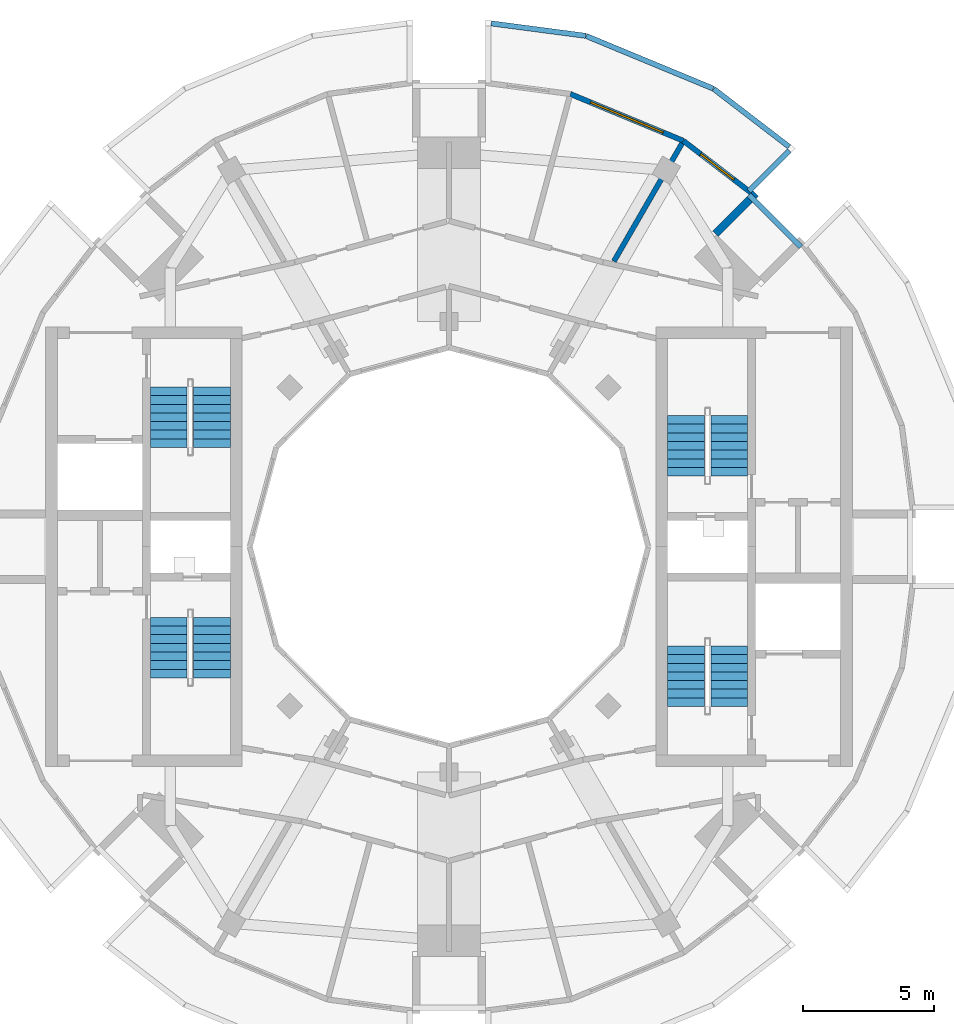
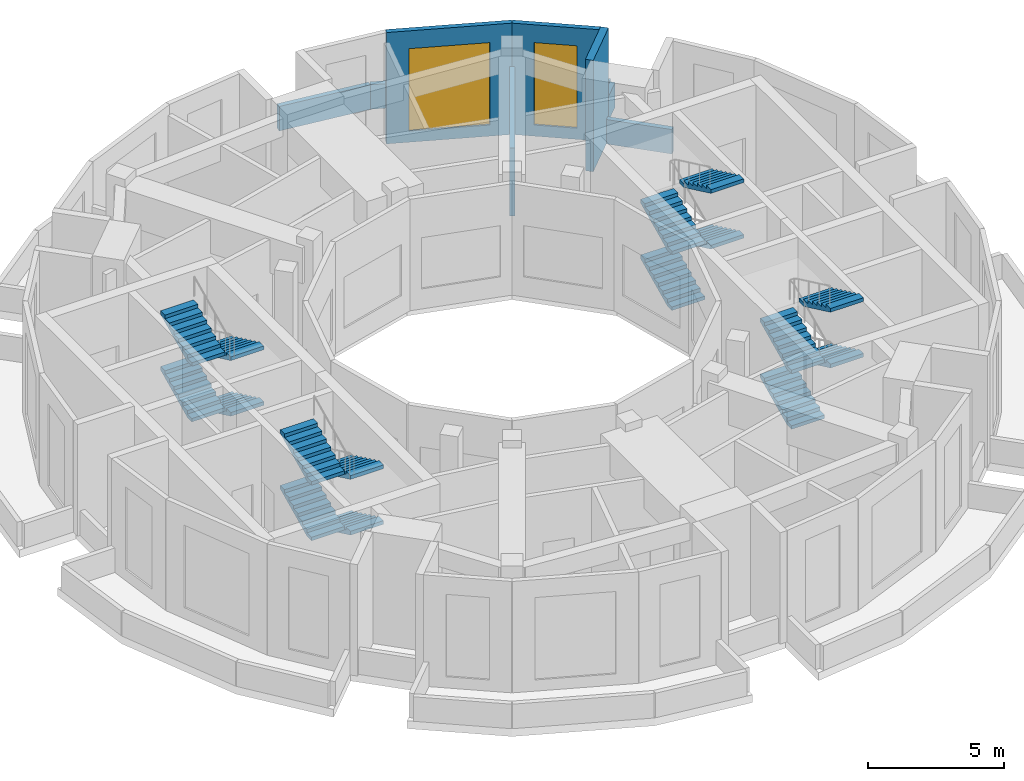
# One storey, part 7 of 8: 16 stair flights, 9 walls, 2 windows, 2 openings, 4 elements without a shape of their own.
"""IFC4 building model written with IfcOpenShell, lengths in metres."""

from ifc_helpers import new_model, si_unit, direction, frame, frame_2d, origin, place, context, subcontext, project, spatial, polyline, rectangle, outline, extrude, material, layer, layer_set, type_object, element, fill, aggregate, save


model = new_model("IFC4")

# Units and contexts
model_context = context("Model", 3, precision=1e-05, world=origin(), true_north=direction((0.0, 1.0)))
body_context = subcontext(model_context, "Body", "Model", "MODEL_VIEW")
ifc_project = project(units=[si_unit("LENGTHUNIT", "METRE"), si_unit("AREAUNIT", "SQUARE_METRE"), si_unit("VOLUMEUNIT", "CUBIC_METRE"), si_unit("PLANEANGLEUNIT", "RADIAN"), si_unit("MASSUNIT", "GRAM", prefix="KILO")], contexts=[model_context])

# Site, building, storey
site_placement = place(None, origin())
site = spatial("IfcSite", under=ifc_project, at=site_placement, CompositionType="ELEMENT")
building_placement = place(site_placement, origin())
building = spatial("IfcBuilding", under=site, at=building_placement, Name="Torre Brocal", CompositionType="ELEMENT")
storey_placement = place(building_placement, frame((0.0, 0.0, 328.10009765625)))
storey = spatial("IfcBuildingStorey", under=building, at=storey_placement, Name="L75", CompositionType="ELEMENT", Elevation=328.10009765625)

# Wall, opening, window
ifc_material_1 = material(Name="Concrete C40", Category="concrete")
ifc_layer_1 = layer(ifc_material_1, 0.199951171875)
ifc_layer_set_1 = layer_set([ifc_layer_1], Name="Concrete C40")
wall_type_1 = type_object("IfcWallType", Name="LOUVRED PLANT WALL 200", PredefinedType="NOTDEFINED", material=ifc_layer_set_1)
wall_1_placement = place(storey_placement, frame((91.536376953125, 88.51611328125, 0.0), z_axis=(0.0, 0.0, 1.0), x_axis=(-0.793338759003, 0.608780431243, 0.0)))
wall_1 = element("IfcWall", 1, at=wall_1_placement, inside=storey, type_object=wall_type_1, Name="LOUVRED PLANT WALL", PredefinedType="NOTDEFINED", context=body_context, shape_type="SweptSolid", body=[
    extrude(rectangle(XDim=3.2607421875, YDim=0.199951171875, at=frame_2d((1.63037109375, 0.0))), origin(), (0.0, 0.0, 1.0), 5.0),
])
opening_1_placement = place(wall_1_placement, frame((0.830322265625, 0.0, 0.5)))
opening_1 = element("IfcOpeningElement", 2, at=opening_1_placement, cuts=wall_1, Name="Opening LV-1600-3700", PredefinedType="OPENING", context=body_context, shape_type="SweptSolid", body=[
    extrude(rectangle(XDim=1.60009765625, YDim=3.699951171875, at=frame_2d((0.800048828125, 1.85009765625))), frame((0.0, 0.10986328125, 0.0), z_axis=(0.0, -1.0, 0.0), x_axis=(1.0, 0.0, 0.0)), (0.0, 0.0, 1.0), 0.219970703125),
])
ifc_material_2 = material(Name="Aluminium louvre", Category="aluminium")
window_type_1 = type_object("IfcWindowType", Name="LOUVRE PANEL 1600X3700", PartitioningType="SINGLE_PANEL", PredefinedType="USERDEFINED", material=ifc_material_2)
window_1_placement = place(opening_1_placement, origin())
window_1 = element("IfcWindow", 3, at=window_1_placement, inside=storey, type_object=window_type_1, Name="LOUVRE PANEL 1600X3700", ObjectType="LOUVRE", OverallHeight=3.699951171875, OverallWidth=1.60009765625, PartitioningType="SINGLE_PANEL", PredefinedType="USERDEFINED", context=body_context, shape_type="SweptSolid", body=[
    extrude(rectangle(XDim=1.60009765625, YDim=3.699951171875, at=frame_2d((0.800048828125, 1.85009765625))), frame((0.0, 0.030029296875, 0.0), z_axis=(0.0, -1.0, 0.0), x_axis=(1.0, 0.0, 0.0)), (0.0, 0.0, 1.0), 0.06005859375),
])
fill(opening_1, window_1)

wall_2_placement = place(storey_placement, frame((88.949462890625, 90.501220703125, 0.0), z_axis=(0.0, 0.0, 1.0), x_axis=(-0.923881827038, 0.382677892842, 0.0)))
wall_2 = element("IfcWall", 4, at=wall_2_placement, inside=storey, type_object=wall_type_1, Name="LOUVRED PLANT WALL", PredefinedType="NOTDEFINED", context=body_context, shape_type="SweptSolid", body=[
    extrude(rectangle(XDim=4.672607421875, YDim=0.199951171875, at=frame_2d((2.33642578125, 0.0))), origin(), (0.0, 0.0, 1.0), 5.0),
])
opening_2_placement = place(wall_2_placement, frame((0.83642578125, 0.0, 0.5)))
opening_2 = element("IfcOpeningElement", 5, at=opening_2_placement, cuts=wall_2, Name="Opening LV-3000-3700", PredefinedType="OPENING", context=body_context, shape_type="SweptSolid", body=[
    extrude(rectangle(XDim=3.0, YDim=3.699951171875, at=frame_2d((1.5, 1.85009765625))), frame((0.0, 0.10986328125, 0.0), z_axis=(0.0, -1.0, 0.0), x_axis=(1.0, 0.0, 0.0)), (0.0, 0.0, 1.0), 0.219970703125),
])
ifc_material_3 = material(Name="Aluminium louvre", Category="aluminium")
window_type_2 = type_object("IfcWindowType", Name="LOUVRE PANEL 3000X3700", PartitioningType="SINGLE_PANEL", PredefinedType="USERDEFINED", material=ifc_material_3)
window_2_placement = place(opening_2_placement, origin())
window_2 = element("IfcWindow", 6, at=window_2_placement, inside=storey, type_object=window_type_2, Name="LOUVRE PANEL 3000X3700", ObjectType="LOUVRE", OverallHeight=3.699951171875, OverallWidth=3.0, PartitioningType="SINGLE_PANEL", PredefinedType="USERDEFINED", context=body_context, shape_type="SweptSolid", body=[
    extrude(rectangle(XDim=3.0, YDim=3.699951171875, at=frame_2d((1.5, 1.85009765625))), frame((0.0, 0.030029296875, 0.0), z_axis=(0.0, -1.0, 0.0), x_axis=(1.0, 0.0, 0.0)), (0.0, 0.0, 1.0), 0.06005859375),
])
fill(opening_2, window_2)

# Walls
ifc_material_4 = material(Name="Concrete C50", Category="concrete")
ifc_layer_2 = layer(ifc_material_4, 0.300048828125)
ifc_layer_set_2 = layer_set([ifc_layer_2], Name="Concrete C50")
wall_type_2 = type_object("IfcWallType", Name="NOTCH RETURN WALL 300 C50", PredefinedType="NOTDEFINED", material=ifc_layer_set_2)
wall_3_placement = place(storey_placement, frame((90.182373046875, 86.9501953125, 0.0), z_axis=(0.0, 0.0, 1.0), x_axis=(0.707106781187, 0.707106781187, 0.0)))
element("IfcWall", 7, at=wall_3_placement, inside=storey, type_object=wall_type_2, Name="NOTCH RETURN WALL", PredefinedType="NOTDEFINED", context=body_context, shape_type="SweptSolid", body=[
    extrude(rectangle(XDim=2.16552734375, YDim=0.300048828125, at=frame_2d((1.082763671875, 0.0))), origin(), (0.0, 0.0, 1.0), 5.0),
])
ifc_material_5 = material(Name="Concrete C40", Category="concrete")
ifc_layer_3 = layer(ifc_material_5, 0.199951171875)
ifc_layer_set_3 = layer_set([ifc_layer_3], Name="Concrete C40")
wall_type_3 = type_object("IfcWallType", Name="PARAPET WALL 200 THICK 1100 HIGH 4", PredefinedType="PARAPET", material=ifc_layer_set_3)
wall_4_placement = place(storey_placement, frame((81.613037109375, 94.985107421875, 0.0), z_axis=(0.0, 0.0, 1.0), x_axis=(0.991444913491, -0.130525796353, 0.0)))
element("IfcWall", 8, at=wall_4_placement, inside=storey, type_object=wall_type_3, Name="PARAPET WALL 42", PredefinedType="PARAPET", context=body_context, shape_type="SweptSolid", body=[
    extrude(rectangle(XDim=3.63232421875, YDim=0.199951171875, at=frame_2d((1.816162109375, 0.0))), origin(), (0.0, 0.0, 1.0), 1.099853515625),
])
wall_5_placement = place(storey_placement, frame((85.23974609375, 94.504150390625, 0.0), z_axis=(0.0, 0.0, 1.0), x_axis=(0.92387900007, -0.38268471779, 0.0)))
element("IfcWall", 9, at=wall_5_placement, inside=storey, type_object=wall_type_3, Name="PARAPET WALL 43", PredefinedType="PARAPET", context=body_context, shape_type="SweptSolid", body=[
    extrude(rectangle(XDim=5.24609375, YDim=0.199951171875, at=frame_2d((2.623046875, 0.0))), origin(), (0.0, 0.0, 1.0), 1.099853515625),
])
wall_6_placement = place(storey_placement, frame((90.109130859375, 92.4833984375, 0.0), z_axis=(0.0, 0.0, 1.0), x_axis=(0.793370471742, -0.608739102217, 0.0)))
element("IfcWall", 10, at=wall_6_placement, inside=storey, type_object=wall_type_3, Name="PARAPET WALL 44", PredefinedType="PARAPET", context=body_context, shape_type="SweptSolid", body=[
    extrude(rectangle(XDim=3.63232421875, YDim=0.199951171875, at=frame_2d((1.816162109375, 0.0))), origin(), (0.0, 0.0, 1.0), 1.099853515625),
])
wall_7_placement = place(storey_placement, frame((93.000732421875, 90.1220703125, 0.0), z_axis=(0.0, 0.0, 1.0), x_axis=(-0.707106781187, -0.707106781187, 0.0)))
element("IfcWall", 11, at=wall_7_placement, inside=storey, type_object=wall_type_3, Name="PARAPET WALL 45", PredefinedType="PARAPET", context=body_context, shape_type="SweptSolid", body=[
    extrude(rectangle(XDim=2.185791015625, YDim=0.199951171875, at=frame_2d((1.0927734375, 0.0))), origin(), (0.0, 0.0, 1.0), 1.099853515625),
])
wall_8_placement = place(storey_placement, frame((91.455078125, 88.43505859375, 0.0), z_axis=(0.0, 0.0, 1.0), x_axis=(0.707106781187, -0.707106781187, 0.0)))
element("IfcWall", 12, at=wall_8_placement, inside=storey, type_object=wall_type_3, Name="PARAPET WALL 46", PredefinedType="PARAPET", context=body_context, shape_type="SweptSolid", body=[
    extrude(rectangle(XDim=2.800048828125, YDim=0.199951171875, at=frame_2d((1.39990234375, 0.0))), origin(), (0.0, 0.0, 1.0), 1.099853515625),
])
ifc_material_6 = material(Name="Masonry block", Category="masonry")
ifc_layer_4 = layer(ifc_material_6, 0.199951171875)
ifc_layer_set_4 = layer_set([ifc_layer_4], Name="Masonry block")
wall_type_4 = type_object("IfcWallType", Name="PARTITION 200 EI120 UNDER BEAM 1950", PredefinedType="PARTITIONING", material=ifc_layer_set_4)
wall_9_placement = place(storey_placement, frame((86.298095703125, 85.900634765625, 0.0), z_axis=(0.0, 0.0, 1.0), x_axis=(0.500243229232, 0.865884929773, 0.0)))
element("IfcWall", 13, at=wall_9_placement, inside=storey, type_object=wall_type_4, Name="PLANT ROOM WALL", PredefinedType="PARTITIONING", context=body_context, shape_type="SweptSolid", body=[
    extrude(rectangle(XDim=5.20751953125, YDim=0.199951171875, at=frame_2d((2.603759765625, 0.0))), origin(), (0.0, 0.0, 1.0), 3.0498046875),
])

# Stair, stair flights
ifc_material_7 = material(Name="Concrete C50", Category="concrete")
stair_type = type_object("IfcStairType", Name="EXIT STAIR", PredefinedType="HALF_TURN_STAIR", material=ifc_material_7)
stair_1_placement = place(storey_placement, origin())
stair_1 = element("IfcStair", 14, at=stair_1_placement, inside=storey, type_object=stair_type, Name="EXIT STAIR ST1", PredefinedType="HALF_TURN_STAIR")
ifc_material_8 = material(Name="Concrete C50", Category="concrete")
ifc_layer_5 = layer(ifc_material_8, 0.14990234375)
ifc_layer_set_5 = layer_set([ifc_layer_5], Name="Concrete C50")
stair_flight_type = type_object("IfcStairFlightType", Name="STAIR FLIGHT", PredefinedType="STRAIGHT", material=ifc_layer_set_5)
stair_flight_1_placement = place(storey_placement, frame((89.050048828125, 77.699951171875, 0.0), z_axis=(0.0, 0.0, 1.0), x_axis=(0.0, 1.0, 0.0)))
stair_flight_1 = element("IfcStairFlight", 15, at=stair_flight_1_placement, type_object=stair_flight_type, Name="ST1 flight 1", NumberOfRisers=8, NumberOfTreads=7, PredefinedType="STRAIGHT", RiserHeight=0.15625, TreadLength=0.33, context=body_context, shape_type="SweptSolid", body=[
    extrude(outline(polyline([(0.0, 0.0), (0.0, 0.15625), (0.330078125, 0.15625), (0.330078125, 0.3125), (0.659912109375, 0.3125), (0.659912109375, 0.46875), (0.989990234375, 0.46875), (0.989990234375, 0.625), (1.320068359375, 0.625), (1.320068359375, 0.78125), (1.64990234375, 0.78125), (1.64990234375, 0.9375), (1.97998046875, 0.9375), (1.97998046875, 1.09375), (2.31005859375, 1.09375), (2.31005859375, 1.25), (2.31005859375, 0.927978515625), (0.350341796875, 0.0), (0.0, 0.0)])), frame((0.0, 0.699951171875, 0.0), z_axis=(0.0, -1.0, 0.0), x_axis=(1.0, 0.0, 0.0)), (0.0, 0.0, 1.0), 1.39990234375),
])
stair_flight_2_placement = place(storey_placement, frame((90.699951171875, 80.010009765625, 1.25), z_axis=(0.0, 0.0, 1.0), x_axis=(0.0, -1.0, 0.0)))
stair_flight_2 = element("IfcStairFlight", 16, at=stair_flight_2_placement, type_object=stair_flight_type, Name="ST1 flight 2", NumberOfRisers=8, NumberOfTreads=7, PredefinedType="STRAIGHT", RiserHeight=0.15625, TreadLength=0.33, context=body_context, shape_type="SweptSolid", body=[
    extrude(outline(polyline([(0.0, 0.0), (0.0, 0.15625), (0.330078125, 0.15625), (0.330078125, 0.3125), (0.659912109375, 0.3125), (0.659912109375, 0.46875), (0.989990234375, 0.46875), (0.989990234375, 0.625), (1.320068359375, 0.625), (1.320068359375, 0.78125), (1.64990234375, 0.78125), (1.64990234375, 0.9375), (1.97998046875, 0.9375), (1.97998046875, 1.09375), (2.31005859375, 1.09375), (2.31005859375, 1.25), (2.31005859375, 0.927978515625), (0.350341796875, 0.0), (0.0, 0.0)])), frame((0.0, 0.699951171875, 0.0), z_axis=(0.0, -1.0, 0.0), x_axis=(1.0, 0.0, 0.0)), (0.0, 0.0, 1.0), 1.39990234375),
])
stair_flight_3_placement = place(storey_placement, frame((89.050048828125, 77.699951171875, 2.5), z_axis=(0.0, 0.0, 1.0), x_axis=(0.0, 1.0, 0.0)))
stair_flight_3 = element("IfcStairFlight", 17, at=stair_flight_3_placement, type_object=stair_flight_type, Name="ST1 flight 3", NumberOfRisers=8, NumberOfTreads=7, PredefinedType="STRAIGHT", RiserHeight=0.15625, TreadLength=0.33, context=body_context, shape_type="SweptSolid", body=[
    extrude(outline(polyline([(0.0, 0.0), (0.0, 0.15625), (0.330078125, 0.15625), (0.330078125, 0.3125), (0.659912109375, 0.3125), (0.659912109375, 0.46875), (0.989990234375, 0.46875), (0.989990234375, 0.625), (1.320068359375, 0.625), (1.320068359375, 0.78125), (1.64990234375, 0.78125), (1.64990234375, 0.9375), (1.97998046875, 0.9375), (1.97998046875, 1.09375), (2.31005859375, 1.09375), (2.31005859375, 1.25), (2.31005859375, 0.927978515625), (0.350341796875, 0.0), (0.0, 0.0)])), frame((0.0, 0.699951171875, 0.0), z_axis=(0.0, -1.0, 0.0), x_axis=(1.0, 0.0, 0.0)), (0.0, 0.0, 1.0), 1.39990234375),
])
stair_flight_4_placement = place(storey_placement, frame((90.699951171875, 80.010009765625, 3.75), z_axis=(0.0, 0.0, 1.0), x_axis=(0.0, -1.0, 0.0)))
stair_flight_4 = element("IfcStairFlight", 18, at=stair_flight_4_placement, type_object=stair_flight_type, Name="ST1 flight 4", NumberOfRisers=8, NumberOfTreads=7, PredefinedType="STRAIGHT", RiserHeight=0.15625, TreadLength=0.33, context=body_context, shape_type="SweptSolid", body=[
    extrude(outline(polyline([(0.0, 0.0), (0.0, 0.15625), (0.330078125, 0.15625), (0.330078125, 0.3125), (0.659912109375, 0.3125), (0.659912109375, 0.46875), (0.989990234375, 0.46875), (0.989990234375, 0.625), (1.320068359375, 0.625), (1.320068359375, 0.78125), (1.64990234375, 0.78125), (1.64990234375, 0.9375), (1.97998046875, 0.9375), (1.97998046875, 1.09375), (2.31005859375, 1.09375), (2.31005859375, 1.25), (2.31005859375, 0.927978515625), (0.350341796875, 0.0), (0.0, 0.0)])), frame((0.0, 0.699951171875, 0.0), z_axis=(0.0, -1.0, 0.0), x_axis=(1.0, 0.0, 0.0)), (0.0, 0.0, 1.0), 1.39990234375),
])
aggregate(stair_1, [stair_flight_1, stair_flight_2, stair_flight_3, stair_flight_4])

stair_2_placement = place(storey_placement, origin())
stair_2 = element("IfcStair", 19, at=stair_2_placement, inside=storey, type_object=stair_type, Name="EXIT STAIR ST2", PredefinedType="HALF_TURN_STAIR")
stair_flight_5_placement = place(storey_placement, frame((89.050048828125, 68.89990234375, 0.0), z_axis=(0.0, 0.0, 1.0), x_axis=(0.0, 1.0, 0.0)))
stair_flight_5 = element("IfcStairFlight", 20, at=stair_flight_5_placement, type_object=stair_flight_type, Name="ST2 flight 1", NumberOfRisers=8, NumberOfTreads=7, PredefinedType="STRAIGHT", RiserHeight=0.15625, TreadLength=0.33, context=body_context, shape_type="SweptSolid", body=[
    extrude(outline(polyline([(0.0, 0.0), (0.0, 0.15625), (0.330078125, 0.15625), (0.330078125, 0.3125), (0.659912109375, 0.3125), (0.659912109375, 0.46875), (0.989990234375, 0.46875), (0.989990234375, 0.625), (1.320068359375, 0.625), (1.320068359375, 0.78125), (1.64990234375, 0.78125), (1.64990234375, 0.9375), (1.97998046875, 0.9375), (1.97998046875, 1.09375), (2.31005859375, 1.09375), (2.31005859375, 1.25), (2.31005859375, 0.927978515625), (0.350341796875, 0.0), (0.0, 0.0)])), frame((0.0, 0.699951171875, 0.0), z_axis=(0.0, -1.0, 0.0), x_axis=(1.0, 0.0, 0.0)), (0.0, 0.0, 1.0), 1.39990234375),
])
stair_flight_6_placement = place(storey_placement, frame((90.699951171875, 71.2099609375, 1.25), z_axis=(0.0, 0.0, 1.0), x_axis=(0.0, -1.0, 0.0)))
stair_flight_6 = element("IfcStairFlight", 21, at=stair_flight_6_placement, type_object=stair_flight_type, Name="ST2 flight 2", NumberOfRisers=8, NumberOfTreads=7, PredefinedType="STRAIGHT", RiserHeight=0.15625, TreadLength=0.33, context=body_context, shape_type="SweptSolid", body=[
    extrude(outline(polyline([(0.0, 0.0), (0.0, 0.15625), (0.330078125, 0.15625), (0.330078125, 0.3125), (0.659912109375, 0.3125), (0.659912109375, 0.46875), (0.989990234375, 0.46875), (0.989990234375, 0.625), (1.320068359375, 0.625), (1.320068359375, 0.78125), (1.64990234375, 0.78125), (1.64990234375, 0.9375), (1.97998046875, 0.9375), (1.97998046875, 1.09375), (2.31005859375, 1.09375), (2.31005859375, 1.25), (2.31005859375, 0.927978515625), (0.350341796875, 0.0), (0.0, 0.0)])), frame((0.0, 0.699951171875, 0.0), z_axis=(0.0, -1.0, 0.0), x_axis=(1.0, 0.0, 0.0)), (0.0, 0.0, 1.0), 1.39990234375),
])
stair_flight_7_placement = place(storey_placement, frame((89.050048828125, 68.89990234375, 2.5), z_axis=(0.0, 0.0, 1.0), x_axis=(0.0, 1.0, 0.0)))
stair_flight_7 = element("IfcStairFlight", 22, at=stair_flight_7_placement, type_object=stair_flight_type, Name="ST2 flight 3", NumberOfRisers=8, NumberOfTreads=7, PredefinedType="STRAIGHT", RiserHeight=0.15625, TreadLength=0.33, context=body_context, shape_type="SweptSolid", body=[
    extrude(outline(polyline([(0.0, 0.0), (0.0, 0.15625), (0.330078125, 0.15625), (0.330078125, 0.3125), (0.659912109375, 0.3125), (0.659912109375, 0.46875), (0.989990234375, 0.46875), (0.989990234375, 0.625), (1.320068359375, 0.625), (1.320068359375, 0.78125), (1.64990234375, 0.78125), (1.64990234375, 0.9375), (1.97998046875, 0.9375), (1.97998046875, 1.09375), (2.31005859375, 1.09375), (2.31005859375, 1.25), (2.31005859375, 0.927978515625), (0.350341796875, 0.0), (0.0, 0.0)])), frame((0.0, 0.699951171875, 0.0), z_axis=(0.0, -1.0, 0.0), x_axis=(1.0, 0.0, 0.0)), (0.0, 0.0, 1.0), 1.39990234375),
])
stair_flight_8_placement = place(storey_placement, frame((90.699951171875, 71.2099609375, 3.75), z_axis=(0.0, 0.0, 1.0), x_axis=(0.0, -1.0, 0.0)))
stair_flight_8 = element("IfcStairFlight", 23, at=stair_flight_8_placement, type_object=stair_flight_type, Name="ST2 flight 4", NumberOfRisers=8, NumberOfTreads=7, PredefinedType="STRAIGHT", RiserHeight=0.15625, TreadLength=0.33, context=body_context, shape_type="SweptSolid", body=[
    extrude(outline(polyline([(0.0, 0.0), (0.0, 0.15625), (0.330078125, 0.15625), (0.330078125, 0.3125), (0.659912109375, 0.3125), (0.659912109375, 0.46875), (0.989990234375, 0.46875), (0.989990234375, 0.625), (1.320068359375, 0.625), (1.320068359375, 0.78125), (1.64990234375, 0.78125), (1.64990234375, 0.9375), (1.97998046875, 0.9375), (1.97998046875, 1.09375), (2.31005859375, 1.09375), (2.31005859375, 1.25), (2.31005859375, 0.927978515625), (0.350341796875, 0.0), (0.0, 0.0)])), frame((0.0, 0.699951171875, 0.0), z_axis=(0.0, -1.0, 0.0), x_axis=(1.0, 0.0, 0.0)), (0.0, 0.0, 1.0), 1.39990234375),
])
aggregate(stair_2, [stair_flight_5, stair_flight_6, stair_flight_7, stair_flight_8])

stair_3_placement = place(storey_placement, origin())
stair_3 = element("IfcStair", 24, at=stair_3_placement, inside=storey, type_object=stair_type, Name="EXIT STAIR ST3", PredefinedType="HALF_TURN_STAIR")
stair_flight_9_placement = place(storey_placement, frame((70.949951171875, 72.300048828125, 0.0), z_axis=(0.0, 0.0, 1.0), x_axis=(0.0, -1.0, 0.0)))
stair_flight_9 = element("IfcStairFlight", 25, at=stair_flight_9_placement, type_object=stair_flight_type, Name="ST3 flight 1", NumberOfRisers=8, NumberOfTreads=7, PredefinedType="STRAIGHT", RiserHeight=0.15625, TreadLength=0.33, context=body_context, shape_type="SweptSolid", body=[
    extrude(outline(polyline([(0.0, 0.0), (0.0, 0.15625), (0.330078125, 0.15625), (0.330078125, 0.3125), (0.659912109375, 0.3125), (0.659912109375, 0.46875), (0.989990234375, 0.46875), (0.989990234375, 0.625), (1.320068359375, 0.625), (1.320068359375, 0.78125), (1.64990234375, 0.78125), (1.64990234375, 0.9375), (1.97998046875, 0.9375), (1.97998046875, 1.09375), (2.31005859375, 1.09375), (2.31005859375, 1.25), (2.31005859375, 0.927978515625), (0.350341796875, 0.0), (0.0, 0.0)])), frame((0.0, 0.699951171875, 0.0), z_axis=(0.0, -1.0, 0.0), x_axis=(1.0, 0.0, 0.0)), (0.0, 0.0, 1.0), 1.39990234375),
])
stair_flight_10_placement = place(storey_placement, frame((69.300048828125, 69.989990234375, 1.25), z_axis=(0.0, 0.0, 1.0), x_axis=(0.0, 1.0, 0.0)))
stair_flight_10 = element("IfcStairFlight", 26, at=stair_flight_10_placement, type_object=stair_flight_type, Name="ST3 flight 2", NumberOfRisers=8, NumberOfTreads=7, PredefinedType="STRAIGHT", RiserHeight=0.15625, TreadLength=0.33, context=body_context, shape_type="SweptSolid", body=[
    extrude(outline(polyline([(0.0, 0.0), (0.0, 0.15625), (0.330078125, 0.15625), (0.330078125, 0.3125), (0.659912109375, 0.3125), (0.659912109375, 0.46875), (0.989990234375, 0.46875), (0.989990234375, 0.625), (1.320068359375, 0.625), (1.320068359375, 0.78125), (1.64990234375, 0.78125), (1.64990234375, 0.9375), (1.97998046875, 0.9375), (1.97998046875, 1.09375), (2.31005859375, 1.09375), (2.31005859375, 1.25), (2.31005859375, 0.927978515625), (0.350341796875, 0.0), (0.0, 0.0)])), frame((0.0, 0.699951171875, 0.0), z_axis=(0.0, -1.0, 0.0), x_axis=(1.0, 0.0, 0.0)), (0.0, 0.0, 1.0), 1.39990234375),
])
stair_flight_11_placement = place(storey_placement, frame((70.949951171875, 72.300048828125, 2.5), z_axis=(0.0, 0.0, 1.0), x_axis=(0.0, -1.0, 0.0)))
stair_flight_11 = element("IfcStairFlight", 27, at=stair_flight_11_placement, type_object=stair_flight_type, Name="ST3 flight 3", NumberOfRisers=8, NumberOfTreads=7, PredefinedType="STRAIGHT", RiserHeight=0.15625, TreadLength=0.33, context=body_context, shape_type="SweptSolid", body=[
    extrude(outline(polyline([(0.0, 0.0), (0.0, 0.15625), (0.330078125, 0.15625), (0.330078125, 0.3125), (0.659912109375, 0.3125), (0.659912109375, 0.46875), (0.989990234375, 0.46875), (0.989990234375, 0.625), (1.320068359375, 0.625), (1.320068359375, 0.78125), (1.64990234375, 0.78125), (1.64990234375, 0.9375), (1.97998046875, 0.9375), (1.97998046875, 1.09375), (2.31005859375, 1.09375), (2.31005859375, 1.25), (2.31005859375, 0.927978515625), (0.350341796875, 0.0), (0.0, 0.0)])), frame((0.0, 0.699951171875, 0.0), z_axis=(0.0, -1.0, 0.0), x_axis=(1.0, 0.0, 0.0)), (0.0, 0.0, 1.0), 1.39990234375),
])
stair_flight_12_placement = place(storey_placement, frame((69.300048828125, 69.989990234375, 3.75), z_axis=(0.0, 0.0, 1.0), x_axis=(0.0, 1.0, 0.0)))
stair_flight_12 = element("IfcStairFlight", 28, at=stair_flight_12_placement, type_object=stair_flight_type, Name="ST3 flight 4", NumberOfRisers=8, NumberOfTreads=7, PredefinedType="STRAIGHT", RiserHeight=0.15625, TreadLength=0.33, context=body_context, shape_type="SweptSolid", body=[
    extrude(outline(polyline([(0.0, 0.0), (0.0, 0.15625), (0.330078125, 0.15625), (0.330078125, 0.3125), (0.659912109375, 0.3125), (0.659912109375, 0.46875), (0.989990234375, 0.46875), (0.989990234375, 0.625), (1.320068359375, 0.625), (1.320068359375, 0.78125), (1.64990234375, 0.78125), (1.64990234375, 0.9375), (1.97998046875, 0.9375), (1.97998046875, 1.09375), (2.31005859375, 1.09375), (2.31005859375, 1.25), (2.31005859375, 0.927978515625), (0.350341796875, 0.0), (0.0, 0.0)])), frame((0.0, 0.699951171875, 0.0), z_axis=(0.0, -1.0, 0.0), x_axis=(1.0, 0.0, 0.0)), (0.0, 0.0, 1.0), 1.39990234375),
])
aggregate(stair_3, [stair_flight_9, stair_flight_10, stair_flight_11, stair_flight_12])

stair_4_placement = place(storey_placement, origin())
stair_4 = element("IfcStair", 29, at=stair_4_placement, inside=storey, type_object=stair_type, Name="EXIT STAIR ST4", PredefinedType="HALF_TURN_STAIR")
stair_flight_13_placement = place(storey_placement, frame((70.949951171875, 81.10009765625, 0.0), z_axis=(0.0, 0.0, 1.0), x_axis=(0.0, -1.0, 0.0)))
stair_flight_13 = element("IfcStairFlight", 30, at=stair_flight_13_placement, type_object=stair_flight_type, Name="ST4 flight 1", NumberOfRisers=8, NumberOfTreads=7, PredefinedType="STRAIGHT", RiserHeight=0.15625, TreadLength=0.33, context=body_context, shape_type="SweptSolid", body=[
    extrude(outline(polyline([(0.0, 0.0), (0.0, 0.15625), (0.330078125, 0.15625), (0.330078125, 0.3125), (0.659912109375, 0.3125), (0.659912109375, 0.46875), (0.989990234375, 0.46875), (0.989990234375, 0.625), (1.320068359375, 0.625), (1.320068359375, 0.78125), (1.64990234375, 0.78125), (1.64990234375, 0.9375), (1.97998046875, 0.9375), (1.97998046875, 1.09375), (2.31005859375, 1.09375), (2.31005859375, 1.25), (2.31005859375, 0.927978515625), (0.350341796875, 0.0), (0.0, 0.0)])), frame((0.0, 0.699951171875, 0.0), z_axis=(0.0, -1.0, 0.0), x_axis=(1.0, 0.0, 0.0)), (0.0, 0.0, 1.0), 1.39990234375),
])
stair_flight_14_placement = place(storey_placement, frame((69.300048828125, 78.7900390625, 1.25), z_axis=(0.0, 0.0, 1.0), x_axis=(0.0, 1.0, 0.0)))
stair_flight_14 = element("IfcStairFlight", 31, at=stair_flight_14_placement, type_object=stair_flight_type, Name="ST4 flight 2", NumberOfRisers=8, NumberOfTreads=7, PredefinedType="STRAIGHT", RiserHeight=0.15625, TreadLength=0.33, context=body_context, shape_type="SweptSolid", body=[
    extrude(outline(polyline([(0.0, 0.0), (0.0, 0.15625), (0.330078125, 0.15625), (0.330078125, 0.3125), (0.659912109375, 0.3125), (0.659912109375, 0.46875), (0.989990234375, 0.46875), (0.989990234375, 0.625), (1.320068359375, 0.625), (1.320068359375, 0.78125), (1.64990234375, 0.78125), (1.64990234375, 0.9375), (1.97998046875, 0.9375), (1.97998046875, 1.09375), (2.31005859375, 1.09375), (2.31005859375, 1.25), (2.31005859375, 0.927978515625), (0.350341796875, 0.0), (0.0, 0.0)])), frame((0.0, 0.699951171875, 0.0), z_axis=(0.0, -1.0, 0.0), x_axis=(1.0, 0.0, 0.0)), (0.0, 0.0, 1.0), 1.39990234375),
])
stair_flight_15_placement = place(storey_placement, frame((70.949951171875, 81.10009765625, 2.5), z_axis=(0.0, 0.0, 1.0), x_axis=(0.0, -1.0, 0.0)))
stair_flight_15 = element("IfcStairFlight", 32, at=stair_flight_15_placement, type_object=stair_flight_type, Name="ST4 flight 3", NumberOfRisers=8, NumberOfTreads=7, PredefinedType="STRAIGHT", RiserHeight=0.15625, TreadLength=0.33, context=body_context, shape_type="SweptSolid", body=[
    extrude(outline(polyline([(0.0, 0.0), (0.0, 0.15625), (0.330078125, 0.15625), (0.330078125, 0.3125), (0.659912109375, 0.3125), (0.659912109375, 0.46875), (0.989990234375, 0.46875), (0.989990234375, 0.625), (1.320068359375, 0.625), (1.320068359375, 0.78125), (1.64990234375, 0.78125), (1.64990234375, 0.9375), (1.97998046875, 0.9375), (1.97998046875, 1.09375), (2.31005859375, 1.09375), (2.31005859375, 1.25), (2.31005859375, 0.927978515625), (0.350341796875, 0.0), (0.0, 0.0)])), frame((0.0, 0.699951171875, 0.0), z_axis=(0.0, -1.0, 0.0), x_axis=(1.0, 0.0, 0.0)), (0.0, 0.0, 1.0), 1.39990234375),
])
stair_flight_16_placement = place(storey_placement, frame((69.300048828125, 78.7900390625, 3.75), z_axis=(0.0, 0.0, 1.0), x_axis=(0.0, 1.0, 0.0)))
stair_flight_16 = element("IfcStairFlight", 33, at=stair_flight_16_placement, type_object=stair_flight_type, Name="ST4 flight 4", NumberOfRisers=8, NumberOfTreads=7, PredefinedType="STRAIGHT", RiserHeight=0.15625, TreadLength=0.33, context=body_context, shape_type="SweptSolid", body=[
    extrude(outline(polyline([(0.0, 0.0), (0.0, 0.15625), (0.330078125, 0.15625), (0.330078125, 0.3125), (0.659912109375, 0.3125), (0.659912109375, 0.46875), (0.989990234375, 0.46875), (0.989990234375, 0.625), (1.320068359375, 0.625), (1.320068359375, 0.78125), (1.64990234375, 0.78125), (1.64990234375, 0.9375), (1.97998046875, 0.9375), (1.97998046875, 1.09375), (2.31005859375, 1.09375), (2.31005859375, 1.25), (2.31005859375, 0.927978515625), (0.350341796875, 0.0), (0.0, 0.0)])), frame((0.0, 0.699951171875, 0.0), z_axis=(0.0, -1.0, 0.0), x_axis=(1.0, 0.0, 0.0)), (0.0, 0.0, 1.0), 1.39990234375),
])
aggregate(stair_4, [stair_flight_13, stair_flight_14, stair_flight_15, stair_flight_16])

save(model, "model.ifc")
